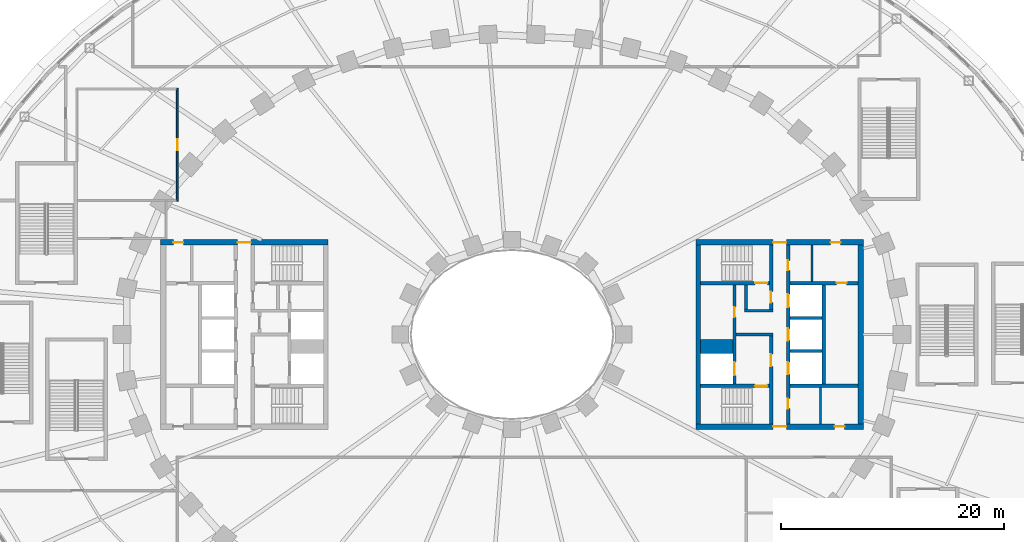
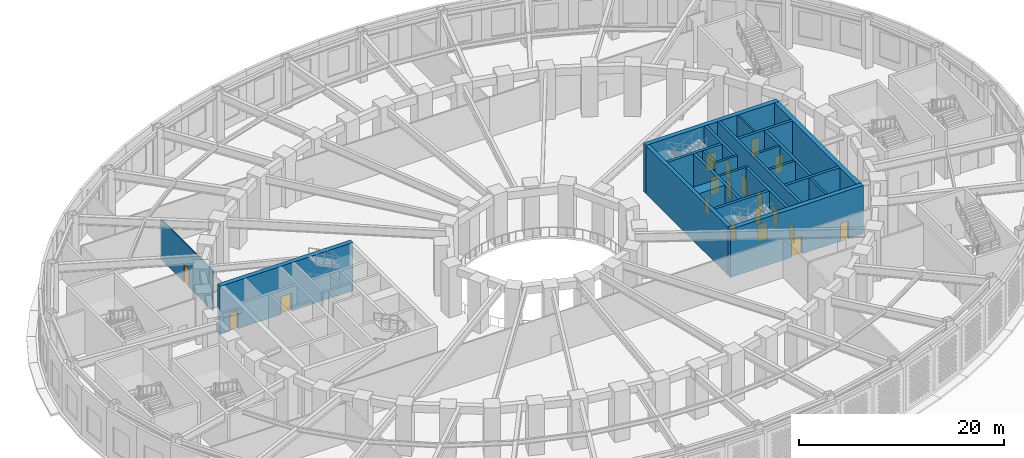
# One storey, part 24 of 74: 23 walls, 19 doors, 19 openings.
"""IFC4 building model written with IfcOpenShell, lengths in metres."""

from ifc_helpers import new_model, si_unit, direction, frame, frame_2d, origin, place, context, subcontext, project, spatial, rectangle, extrude, material, layer, layer_set, type_object, element, fill, save


model = new_model("IFC4")

# Units and contexts
model_context = context("Model", 3, precision=1e-05, world=origin(), true_north=direction((0.0, 1.0)))
body_context = subcontext(model_context, "Body", "Model", "MODEL_VIEW")
ifc_project = project(units=[si_unit("LENGTHUNIT", "METRE"), si_unit("AREAUNIT", "SQUARE_METRE"), si_unit("VOLUMEUNIT", "CUBIC_METRE"), si_unit("PLANEANGLEUNIT", "RADIAN"), si_unit("MASSUNIT", "GRAM", prefix="KILO")], contexts=[model_context])

# Site, building, storey
site_placement = place(None, origin())
site = spatial("IfcSite", under=ifc_project, at=site_placement, CompositionType="ELEMENT")
building_placement = place(site_placement, origin())
building = spatial("IfcBuilding", under=site, at=building_placement, Name="Noorbagh Ring Tower", CompositionType="ELEMENT")
storey_placement = place(building_placement, frame((0.0, 0.0, 7.5)))
storey = spatial("IfcBuildingStorey", under=building, at=storey_placement, Name="L01", CompositionType="ELEMENT", Elevation=7.5)

# Walls
ifc_material_1 = material(Name="Gypsum board on steel studs", Category="steel")
ifc_layer_1 = layer(ifc_material_1, 0.199951171875)
ifc_layer_set_1 = layer_set([ifc_layer_1], Name="Gypsum board on steel studs")
wall_type_1 = type_object("IfcWallType", Name="CORE-PARTITION-200", PredefinedType="PARTITIONING", material=ifc_layer_set_1)
for number, where, z_axis, x_axis, name in (
    (1, (26.89990234375, 4.75, 0.0), (0.0, 0.0, 1.0), (0.0, 1.0, 0.0), "Core partition E"),
    (2, (27.64990234375, -8.0, 0.0), (0.0, 0.0, 1.0), (0.0, 1.0, 0.0), "Core partition E"),
):
    element("IfcWall", number, at=place(storey_placement, frame(where, z_axis=z_axis, x_axis=x_axis)), inside=storey, type_object=wall_type_1, Name=name, PredefinedType="PARTITIONING", context=body_context, shape_type="SweptSolid", body=[
        extrude(rectangle(XDim=3.25, YDim=0.199951171875, at=frame_2d((1.625, 0.0))), origin(), (0.0, 0.0, 1.0), 5.75),
    ])
ifc_material_2 = material(Name="Concrete C70/85", Category="concrete")
ifc_layer_2 = layer(ifc_material_2, 1.25)
ifc_layer_set_2 = layer_set([ifc_layer_2], Name="Concrete C70/85")
wall_type_2 = type_object("IfcWallType", Name="CORE-WALL-1250-C70-85-EI120", PredefinedType="SHEAR", material=ifc_layer_set_2)
wall_1_placement = place(storey_placement, frame((16.89990234375, -1.074951171875, 0.0), z_axis=(0.0, 0.0, 1.0), x_axis=(1.0, 0.0, 0.0)))
element("IfcWall", 3, at=wall_1_placement, inside=storey, type_object=wall_type_2, Name="Core wall E", PredefinedType="SHEAR", context=body_context, shape_type="SweptSolid", body=[
    extrude(rectangle(XDim=2.900146484375, YDim=1.25, at=frame_2d((1.4501953125, 0.0))), origin(), (0.0, 0.0, 1.0), 5.75),
])
ifc_material_3 = material(Name="Concrete C70/85", Category="concrete")
ifc_layer_3 = layer(ifc_material_3, 0.25)
ifc_layer_set_3 = layer_set([ifc_layer_3], Name="Concrete C70/85")
wall_type_3 = type_object("IfcWallType", Name="CORE-WALL-250-C70-85-EI120", PredefinedType="SHEAR", material=ifc_layer_set_3)
for number, where, z_axis, x_axis, name in (
    (4, (24.89990234375, -1.47509765625, 0.0), (0.0, 0.0, 1.0), (1.0, 0.0, 0.0), "Core wall E"),
    (5, (24.89990234375, 1.47509765625, 0.0), (0.0, 0.0, 1.0), (1.0, 0.0, 0.0), "Core wall E"),
):
    element("IfcWall", number, at=place(storey_placement, frame(where, z_axis=z_axis, x_axis=x_axis)), inside=storey, type_object=wall_type_3, Name=name, PredefinedType="SHEAR", context=body_context, shape_type="SweptSolid", body=[
        extrude(rectangle(XDim=2.900146484375, YDim=0.25, at=frame_2d((1.4501953125, 0.0))), origin(), (0.0, 0.0, 1.0), 5.75),
    ])
ifc_material_4 = material(Name="Concrete C70/85", Category="concrete")
ifc_layer_4 = layer(ifc_material_4, 0.25)
ifc_layer_set_4 = layer_set([ifc_layer_4], Name="Concrete C70/85")
wall_type_4 = type_object("IfcWallType", Name="CORE-WALL-250-C70-85-EI240", PredefinedType="SHEAR", material=ifc_layer_set_4)
wall_2_placement = place(storey_placement, frame((20.10009765625, 0.0, 0.0), z_axis=(0.0, 0.0, 1.0), x_axis=(1.0, 0.0, 0.0)))
element("IfcWall", 6, at=wall_2_placement, inside=storey, type_object=wall_type_4, Name="Core wall E", PredefinedType="SHEAR", context=body_context, shape_type="SweptSolid", body=[
    extrude(rectangle(XDim=3.27978515625, YDim=0.25, at=frame_2d((1.639892578125, 0.0))), origin(), (0.0, 0.0, 1.0), 5.75),
])
wall_3_placement = place(storey_placement, frame((20.85009765625, 2.125, 0.0), z_axis=(0.0, 0.0, 1.0), x_axis=(1.0, 0.0, 0.0)))
element("IfcWall", 7, at=wall_3_placement, inside=storey, type_object=wall_type_4, Name="Core wall E", PredefinedType="SHEAR", context=body_context, shape_type="SweptSolid", body=[
    extrude(rectangle(XDim=2.52978515625, YDim=0.25, at=frame_2d((1.264892578125, 0.0))), origin(), (0.0, 0.0, 1.0), 5.75),
])
wall_4_placement = place(storey_placement, frame((20.97509765625, 2.25, 0.0), z_axis=(0.0, 0.0, 1.0), x_axis=(0.0, 1.0, 0.0)))
element("IfcWall", 8, at=wall_4_placement, inside=storey, type_object=wall_type_4, Name="Core wall E", PredefinedType="SHEAR", context=body_context, shape_type="SweptSolid", body=[
    extrude(rectangle(XDim=2.199951171875, YDim=0.25, at=frame_2d((1.10009765625, 0.0))), origin(), (0.0, 0.0, 1.0), 5.75),
])
ifc_material_5 = material(Name="Concrete C70/85", Category="concrete")
ifc_layer_5 = layer(ifc_material_5, 0.300048828125)
ifc_layer_set_5 = layer_set([ifc_layer_5], Name="Concrete C70/85")
wall_type_5 = type_object("IfcWallType", Name="CORE-WALL-300-C70-85-EI120", PredefinedType="SHEAR", material=ifc_layer_set_5)
wall_5_placement = place(storey_placement, frame((27.949951171875, -4.449951171875, 0.0), z_axis=(0.0, 0.0, 1.0), x_axis=(0.0, 1.0, 0.0)))
element("IfcWall", 9, at=wall_5_placement, inside=storey, type_object=wall_type_5, Name="Core wall E", PredefinedType="SHEAR", context=body_context, shape_type="SweptSolid", body=[
    extrude(rectangle(XDim=8.89990234375, YDim=0.300048828125, at=frame_2d((4.449951171875, 0.0))), origin(), (0.0, 0.0, 1.0), 5.75),
])

# Wall, openings, doors
wall_6_placement = place(storey_placement, frame((19.949951171875, -4.449951171875, 0.0), z_axis=(0.0, 0.0, 1.0), x_axis=(0.0, 1.0, 0.0)))
wall_6 = element("IfcWall", 10, at=wall_6_placement, inside=storey, type_object=wall_type_5, Name="Core wall E", PredefinedType="SHEAR", context=body_context, shape_type="SweptSolid", body=[
    extrude(rectangle(XDim=8.89990234375, YDim=0.300048828125, at=frame_2d((4.449951171875, 0.0))), origin(), (0.0, 0.0, 1.0), 5.75),
])
opening_1_placement = place(wall_6_placement, frame((0.77490234375, 0.0, 0.0)))
opening_1 = element("IfcOpeningElement", 11, at=opening_1_placement, cuts=wall_6, Name="Opening L01-CE01", PredefinedType="OPENING", context=body_context, shape_type="SweptSolid", body=[
    extrude(rectangle(XDim=1.199951171875, YDim=2.10009765625, at=frame_2d((0.60009765625, 1.050048828125))), frame((0.0, 0.16015625, 0.0), z_axis=(0.0, -1.0, 0.0), x_axis=(1.0, 0.0, 0.0)), (0.0, 0.0, 1.0), 0.320068359375),
])
opening_2_placement = place(wall_6_placement, frame((6.0, 0.0, 0.0)))
opening_2 = element("IfcOpeningElement", 12, at=opening_2_placement, cuts=wall_6, Name="Opening L01-CE11", PredefinedType="OPENING", context=body_context, shape_type="SweptSolid", body=[
    extrude(rectangle(XDim=0.89990234375, YDim=2.10009765625, at=frame_2d((0.449951171875, 1.050048828125))), frame((0.0, 0.16015625, 0.0), z_axis=(0.0, -1.0, 0.0), x_axis=(1.0, 0.0, 0.0)), (0.0, 0.0, 1.0), 0.320068359375),
])
ifc_material_6 = material(Name="Steel door leaf", Category="steel")
door_type_1 = type_object("IfcDoorType", Name="CORE-DOOR-DROOM", OperationType="SINGLE_SWING_LEFT", PredefinedType="DOOR", material=ifc_material_6)
door_1_placement = place(opening_2_placement, origin())
door_1 = element("IfcDoor", 13, at=door_1_placement, inside=storey, type_object=door_type_1, Name="Core room door L01-CE11", OperationType="SINGLE_SWING_RIGHT", OverallHeight=2.10009765625, OverallWidth=0.89990234375, PredefinedType="DOOR", context=body_context, shape_type="SweptSolid", body=[
    extrude(rectangle(XDim=0.89990234375, YDim=2.10009765625, at=frame_2d((0.449951171875, 1.050048828125))), frame((0.0, 0.02490234375, 0.0), z_axis=(0.0, -1.0, 0.0), x_axis=(1.0, 0.0, 0.0)), (0.0, 0.0, 1.0), 0.050048828125),
])
fill(opening_2, door_1)
ifc_material_7 = material(Name="Steel door leaf", Category="steel")
door_type_2 = type_object("IfcDoorType", Name="CORE-DOOR-LDW", OperationType="DOUBLE_DOOR_SLIDING", PredefinedType="DOOR", material=ifc_material_7)
door_2_placement = place(opening_1_placement, origin())
door_2 = element("IfcDoor", 14, at=door_2_placement, inside=storey, type_object=door_type_2, Name="Landing door FF2 L01-CE01", OperationType="DOUBLE_DOOR_SLIDING", OverallHeight=2.10009765625, OverallWidth=1.199951171875, PredefinedType="DOOR", context=body_context, shape_type="SweptSolid", body=[
    extrude(rectangle(XDim=1.199951171875, YDim=2.10009765625, at=frame_2d((0.60009765625, 1.050048828125))), frame((0.0, 0.02490234375, 0.0), z_axis=(0.0, -1.0, 0.0), x_axis=(1.0, 0.0, 0.0)), (0.0, 0.0, 1.0), 0.050048828125),
])
fill(opening_1, door_2)

wall_7_placement = place(storey_placement, frame((24.75, -8.0, 0.0), z_axis=(0.0, 0.0, 1.0), x_axis=(0.0, 1.0, 0.0)))
wall_7 = element("IfcWall", 15, at=wall_7_placement, inside=storey, type_object=wall_type_5, Name="Core wall E", PredefinedType="SHEAR", context=body_context, shape_type="SweptSolid", body=[
    extrude(rectangle(XDim=16.0, YDim=0.300048828125, at=frame_2d((8.0, 0.0))), origin(), (0.0, 0.0, 1.0), 5.75),
])
opening_3_placement = place(wall_7_placement, frame((4.425048828125, 0.0, 0.0)))
opening_3 = element("IfcOpeningElement", 16, at=opening_3_placement, cuts=wall_7, Name="Opening L01-CE02", PredefinedType="OPENING", context=body_context, shape_type="SweptSolid", body=[
    extrude(rectangle(XDim=1.10009765625, YDim=2.10009765625, at=frame_2d((0.550048828125, 1.050048828125))), frame((0.0, 0.16015625, 0.0), z_axis=(0.0, -1.0, 0.0), x_axis=(1.0, 0.0, 0.0)), (0.0, 0.0, 1.0), 0.320068359375),
])
opening_4_placement = place(wall_7_placement, frame((7.449951171875, 0.0, 0.0)))
opening_4 = element("IfcOpeningElement", 17, at=opening_4_placement, cuts=wall_7, Name="Opening L01-CE03", PredefinedType="OPENING", context=body_context, shape_type="SweptSolid", body=[
    extrude(rectangle(XDim=1.10009765625, YDim=2.10009765625, at=frame_2d((0.550048828125, 1.050048828125))), frame((0.0, 0.16015625, 0.0), z_axis=(0.0, -1.0, 0.0), x_axis=(1.0, 0.0, 0.0)), (0.0, 0.0, 1.0), 0.320068359375),
])
opening_5_placement = place(wall_7_placement, frame((10.425048828125, 0.0, 0.0)))
opening_5 = element("IfcOpeningElement", 18, at=opening_5_placement, cuts=wall_7, Name="Opening L01-CE04", PredefinedType="OPENING", context=body_context, shape_type="SweptSolid", body=[
    extrude(rectangle(XDim=1.199951171875, YDim=2.10009765625, at=frame_2d((0.60009765625, 1.050048828125))), frame((0.0, 0.16015625, 0.0), z_axis=(0.0, -1.0, 0.0), x_axis=(1.0, 0.0, 0.0)), (0.0, 0.0, 1.0), 0.320068359375),
])
opening_6_placement = place(wall_7_placement, frame((13.75, 0.0, 0.0)))
opening_6 = element("IfcOpeningElement", 19, at=opening_6_placement, cuts=wall_7, Name="Opening L01-CE12", PredefinedType="OPENING", context=body_context, shape_type="SweptSolid", body=[
    extrude(rectangle(XDim=0.89990234375, YDim=2.10009765625, at=frame_2d((0.449951171875, 1.050048828125))), frame((0.0, 0.16015625, 0.0), z_axis=(0.0, -1.0, 0.0), x_axis=(1.0, 0.0, 0.0)), (0.0, 0.0, 1.0), 0.320068359375),
])
opening_7_placement = place(wall_7_placement, frame((1.35009765625, 0.0, 0.0)))
opening_7 = element("IfcOpeningElement", 20, at=opening_7_placement, cuts=wall_7, Name="Opening L01-CE14", PredefinedType="OPENING", context=body_context, shape_type="SweptSolid", body=[
    extrude(rectangle(XDim=0.89990234375, YDim=2.10009765625, at=frame_2d((0.449951171875, 1.050048828125))), frame((0.0, 0.16015625, 0.0), z_axis=(0.0, -1.0, 0.0), x_axis=(1.0, 0.0, 0.0)), (0.0, 0.0, 1.0), 0.320068359375),
])
door_3_placement = place(opening_6_placement, origin())
door_3 = element("IfcDoor", 21, at=door_3_placement, inside=storey, type_object=door_type_1, Name="Core room door L01-CE12", OperationType="SINGLE_SWING_LEFT", OverallHeight=2.10009765625, OverallWidth=0.89990234375, PredefinedType="DOOR", context=body_context, shape_type="SweptSolid", body=[
    extrude(rectangle(XDim=0.89990234375, YDim=2.10009765625, at=frame_2d((0.449951171875, 1.050048828125))), frame((0.0, 0.02490234375, 0.0), z_axis=(0.0, -1.0, 0.0), x_axis=(1.0, 0.0, 0.0)), (0.0, 0.0, 1.0), 0.050048828125),
])
fill(opening_6, door_3)
door_4_placement = place(opening_7_placement, origin())
door_4 = element("IfcDoor", 22, at=door_4_placement, inside=storey, type_object=door_type_1, Name="Core room door L01-CE14", OperationType="SINGLE_SWING_RIGHT", OverallHeight=2.10009765625, OverallWidth=0.89990234375, PredefinedType="DOOR", context=body_context, shape_type="SweptSolid", body=[
    extrude(rectangle(XDim=0.89990234375, YDim=2.10009765625, at=frame_2d((0.449951171875, 1.050048828125))), frame((0.0, 0.02490234375, 0.0), z_axis=(0.0, -1.0, 0.0), x_axis=(1.0, 0.0, 0.0)), (0.0, 0.0, 1.0), 0.050048828125),
])
fill(opening_7, door_4)
ifc_material_8 = material(Name="Steel door leaf", Category="steel")
door_type_3 = type_object("IfcDoorType", Name="CORE-DOOR-LD", OperationType="DOUBLE_DOOR_SLIDING", PredefinedType="DOOR", material=ifc_material_8)
door_5_placement = place(opening_3_placement, origin())
door_5 = element("IfcDoor", 23, at=door_5_placement, inside=storey, type_object=door_type_3, Name="Landing door LR3 L01-CE02", OperationType="DOUBLE_DOOR_SLIDING", OverallHeight=2.10009765625, OverallWidth=1.10009765625, PredefinedType="DOOR", context=body_context, shape_type="SweptSolid", body=[
    extrude(rectangle(XDim=1.10009765625, YDim=2.10009765625, at=frame_2d((0.550048828125, 1.050048828125))), frame((0.0, 0.02490234375, 0.0), z_axis=(0.0, -1.0, 0.0), x_axis=(1.0, 0.0, 0.0)), (0.0, 0.0, 1.0), 0.050048828125),
])
fill(opening_3, door_5)
door_6_placement = place(opening_4_placement, origin())
door_6 = element("IfcDoor", 24, at=door_6_placement, inside=storey, type_object=door_type_3, Name="Landing door LR4 L01-CE03", OperationType="DOUBLE_DOOR_SLIDING", OverallHeight=2.10009765625, OverallWidth=1.10009765625, PredefinedType="DOOR", context=body_context, shape_type="SweptSolid", body=[
    extrude(rectangle(XDim=1.10009765625, YDim=2.10009765625, at=frame_2d((0.550048828125, 1.050048828125))), frame((0.0, 0.02490234375, 0.0), z_axis=(0.0, -1.0, 0.0), x_axis=(1.0, 0.0, 0.0)), (0.0, 0.0, 1.0), 0.050048828125),
])
fill(opening_4, door_6)
door_7_placement = place(opening_5_placement, origin())
door_7 = element("IfcDoor", 25, at=door_7_placement, inside=storey, type_object=door_type_2, Name="Landing door SV2 L01-CE04", OperationType="DOUBLE_DOOR_SLIDING", OverallHeight=2.10009765625, OverallWidth=1.199951171875, PredefinedType="DOOR", context=body_context, shape_type="SweptSolid", body=[
    extrude(rectangle(XDim=1.199951171875, YDim=2.10009765625, at=frame_2d((0.60009765625, 1.050048828125))), frame((0.0, 0.02490234375, 0.0), z_axis=(0.0, -1.0, 0.0), x_axis=(1.0, 0.0, 0.0)), (0.0, 0.0, 1.0), 0.050048828125),
])
fill(opening_5, door_7)

# Wall, opening, door
ifc_material_9 = material(Name="Concrete C70/85", Category="concrete")
ifc_layer_6 = layer(ifc_material_9, 0.300048828125)
ifc_layer_set_6 = layer_set([ifc_layer_6], Name="Concrete C70/85")
wall_type_6 = type_object("IfcWallType", Name="CORE-WALL-300-C70-85-EI240", PredefinedType="SHEAR", material=ifc_layer_set_6)
wall_8_placement = place(storey_placement, frame((24.89990234375, 4.60009765625, 0.0), z_axis=(0.0, 0.0, 1.0), x_axis=(1.0, 0.0, 0.0)))
wall_8 = element("IfcWall", 26, at=wall_8_placement, inside=storey, type_object=wall_type_6, Name="Core wall E", PredefinedType="SHEAR", context=body_context, shape_type="SweptSolid", body=[
    extrude(rectangle(XDim=6.10009765625, YDim=0.300048828125, at=frame_2d((3.050048828125, 0.0))), origin(), (0.0, 0.0, 1.0), 5.75),
])
opening_8_placement = place(wall_8_placement, frame((4.199951171875, 0.0, 0.0)))
opening_8 = element("IfcOpeningElement", 27, at=opening_8_placement, cuts=wall_8, Name="Opening L01-CE16", PredefinedType="OPENING", context=body_context, shape_type="SweptSolid", body=[
    extrude(rectangle(XDim=0.89990234375, YDim=2.10009765625, at=frame_2d((0.449951171875, 1.050048828125))), frame((0.0, 0.16015625, 0.0), z_axis=(0.0, -1.0, 0.0), x_axis=(1.0, 0.0, 0.0)), (0.0, 0.0, 1.0), 0.320068359375),
])
door_8_placement = place(opening_8_placement, origin())
door_8 = element("IfcDoor", 28, at=door_8_placement, inside=storey, type_object=door_type_1, Name="Core room door L01-CE16", OperationType="SINGLE_SWING_RIGHT", OverallHeight=2.10009765625, OverallWidth=0.89990234375, PredefinedType="DOOR", context=body_context, shape_type="SweptSolid", body=[
    extrude(rectangle(XDim=0.89990234375, YDim=2.10009765625, at=frame_2d((0.449951171875, 1.050048828125))), frame((0.0, 0.02490234375, 0.0), z_axis=(0.0, -1.0, 0.0), x_axis=(1.0, 0.0, 0.0)), (0.0, 0.0, 1.0), 0.050048828125),
])
fill(opening_8, door_8)

# Wall
wall_9_placement = place(storey_placement, frame((24.89990234375, -4.60009765625, 0.0), z_axis=(0.0, 0.0, 1.0), x_axis=(1.0, 0.0, 0.0)))
element("IfcWall", 29, at=wall_9_placement, inside=storey, type_object=wall_type_6, Name="Core wall E", PredefinedType="SHEAR", context=body_context, shape_type="SweptSolid", body=[
    extrude(rectangle(XDim=6.10009765625, YDim=0.300048828125, at=frame_2d((3.050048828125, 0.0))), origin(), (0.0, 0.0, 1.0), 5.75),
])

# Wall, opening, door
wall_10_placement = place(storey_placement, frame((23.22998046875, 2.25, 0.0), z_axis=(0.0, 0.0, 1.0), x_axis=(0.0, 1.0, 0.0)))
wall_10 = element("IfcWall", 30, at=wall_10_placement, inside=storey, type_object=wall_type_6, Name="Core wall E", PredefinedType="SHEAR", context=body_context, shape_type="SweptSolid", body=[
    extrude(rectangle(XDim=5.75, YDim=0.300048828125, at=frame_2d((2.875, 0.0))), origin(), (0.0, 0.0, 1.0), 5.75),
])
opening_9_placement = place(wall_10_placement, frame((0.60009765625, 0.0, 0.0)))
opening_9 = element("IfcOpeningElement", 31, at=opening_9_placement, cuts=wall_10, Name="Opening L01-CE08", PredefinedType="OPENING", context=body_context, shape_type="SweptSolid", body=[
    extrude(rectangle(XDim=1.0, YDim=2.10009765625, at=frame_2d((0.5, 1.050048828125))), frame((0.0, 0.16015625, 0.0), z_axis=(0.0, -1.0, 0.0), x_axis=(1.0, 0.0, 0.0)), (0.0, 0.0, 1.0), 0.320068359375),
])
ifc_material_10 = material(Name="Steel door leaf", Category="steel")
door_type_4 = type_object("IfcDoorType", Name="CORE-DOOR-DVEST", OperationType="SINGLE_SWING_LEFT", PredefinedType="DOOR", material=ifc_material_10)
door_9_placement = place(opening_9_placement, origin())
door_9 = element("IfcDoor", 32, at=door_9_placement, inside=storey, type_object=door_type_4, Name="Stair vestibule door L01-CE08", OperationType="SINGLE_SWING_RIGHT", OverallHeight=2.10009765625, OverallWidth=1.0, PredefinedType="DOOR", context=body_context, shape_type="SweptSolid", body=[
    extrude(rectangle(XDim=1.0, YDim=2.10009765625, at=frame_2d((0.5, 1.050048828125))), frame((0.0, 0.02490234375, 0.0), z_axis=(0.0, -1.0, 0.0), x_axis=(1.0, 0.0, 0.0)), (0.0, 0.0, 1.0), 0.050048828125),
])
fill(opening_9, door_9)

wall_11_placement = place(storey_placement, frame((23.22998046875, -8.0, 0.0), z_axis=(0.0, 0.0, 1.0), x_axis=(0.0, 1.0, 0.0)))
wall_11 = element("IfcWall", 33, at=wall_11_placement, inside=storey, type_object=wall_type_6, Name="Core wall E", PredefinedType="SHEAR", context=body_context, shape_type="SweptSolid", body=[
    extrude(rectangle(XDim=7.875, YDim=0.300048828125, at=frame_2d((3.9375, 0.0))), origin(), (0.0, 0.0, 1.0), 5.75),
])
opening_10_placement = place(wall_11_placement, frame((5.14990234375, 0.0, 0.0)))
opening_10 = element("IfcOpeningElement", 34, at=opening_10_placement, cuts=wall_11, Name="Opening L01-CE07", PredefinedType="OPENING", context=body_context, shape_type="SweptSolid", body=[
    extrude(rectangle(XDim=1.10009765625, YDim=2.10009765625, at=frame_2d((0.550048828125, 1.050048828125))), frame((0.0, 0.16015625, 0.0), z_axis=(0.0, -1.0, 0.0), x_axis=(1.0, 0.0, 0.0)), (0.0, 0.0, 1.0), 0.320068359375),
])
ifc_material_11 = material(Name="Steel door leaf", Category="steel")
door_type_5 = type_object("IfcDoorType", Name="CORE-DOOR-DFF", OperationType="SINGLE_SWING_LEFT", PredefinedType="DOOR", material=ifc_material_11)
door_10_placement = place(opening_10_placement, origin())
door_10 = element("IfcDoor", 35, at=door_10_placement, inside=storey, type_object=door_type_5, Name="Firefighting lobby door L01-CE07", OperationType="SINGLE_SWING_RIGHT", OverallHeight=2.10009765625, OverallWidth=1.10009765625, PredefinedType="DOOR", context=body_context, shape_type="SweptSolid", body=[
    extrude(rectangle(XDim=1.10009765625, YDim=2.10009765625, at=frame_2d((0.550048828125, 1.050048828125))), frame((0.0, 0.02490234375, 0.0), z_axis=(0.0, -1.0, 0.0), x_axis=(1.0, 0.0, 0.0)), (0.0, 0.0, 1.0), 0.050048828125),
])
fill(opening_10, door_10)

wall_12_placement = place(storey_placement, frame((16.89990234375, 4.60009765625, 0.0), z_axis=(0.0, 0.0, 1.0), x_axis=(1.0, 0.0, 0.0)))
wall_12 = element("IfcWall", 36, at=wall_12_placement, inside=storey, type_object=wall_type_6, Name="Core wall E", PredefinedType="SHEAR", context=body_context, shape_type="SweptSolid", body=[
    extrude(rectangle(XDim=6.18017578125, YDim=0.300048828125, at=frame_2d((3.090087890625, 0.0))), origin(), (0.0, 0.0, 1.0), 5.75),
])
opening_11_placement = place(wall_12_placement, frame((4.89990234375, 0.0, 0.0)))
opening_11 = element("IfcOpeningElement", 37, at=opening_11_placement, cuts=wall_12, Name="Opening L01-CE05", PredefinedType="OPENING", context=body_context, shape_type="SweptSolid", body=[
    extrude(rectangle(XDim=1.10009765625, YDim=2.10009765625, at=frame_2d((0.550048828125, 1.050048828125))), frame((0.0, 0.16015625, 0.0), z_axis=(0.0, -1.0, 0.0), x_axis=(1.0, 0.0, 0.0)), (0.0, 0.0, 1.0), 0.320068359375),
])
ifc_material_12 = material(Name="Steel door leaf", Category="steel")
door_type_6 = type_object("IfcDoorType", Name="CORE-DOOR-DSTAIR", OperationType="SINGLE_SWING_LEFT", PredefinedType="DOOR", material=ifc_material_12)
door_11_placement = place(opening_11_placement, origin())
door_11 = element("IfcDoor", 38, at=door_11_placement, inside=storey, type_object=door_type_6, Name="Stair door ST3 L01-CE05", OperationType="SINGLE_SWING_LEFT", OverallHeight=2.10009765625, OverallWidth=1.10009765625, PredefinedType="DOOR", context=body_context, shape_type="SweptSolid", body=[
    extrude(rectangle(XDim=1.10009765625, YDim=2.10009765625, at=frame_2d((0.550048828125, 1.050048828125))), frame((0.0, 0.02490234375, 0.0), z_axis=(0.0, -1.0, 0.0), x_axis=(1.0, 0.0, 0.0)), (0.0, 0.0, 1.0), 0.050048828125),
])
fill(opening_11, door_11)

wall_13_placement = place(storey_placement, frame((16.89990234375, -4.60009765625, 0.0), z_axis=(0.0, 0.0, 1.0), x_axis=(1.0, 0.0, 0.0)))
wall_13 = element("IfcWall", 39, at=wall_13_placement, inside=storey, type_object=wall_type_6, Name="Core wall E", PredefinedType="SHEAR", context=body_context, shape_type="SweptSolid", body=[
    extrude(rectangle(XDim=6.18017578125, YDim=0.300048828125, at=frame_2d((3.090087890625, 0.0))), origin(), (0.0, 0.0, 1.0), 5.75),
])
opening_12_placement = place(wall_13_placement, frame((4.89990234375, 0.0, 0.0)))
opening_12 = element("IfcOpeningElement", 40, at=opening_12_placement, cuts=wall_13, Name="Opening L01-CE06", PredefinedType="OPENING", context=body_context, shape_type="SweptSolid", body=[
    extrude(rectangle(XDim=1.10009765625, YDim=2.10009765625, at=frame_2d((0.550048828125, 1.050048828125))), frame((0.0, 0.16015625, 0.0), z_axis=(0.0, -1.0, 0.0), x_axis=(1.0, 0.0, 0.0)), (0.0, 0.0, 1.0), 0.320068359375),
])
door_12_placement = place(opening_12_placement, origin())
door_12 = element("IfcDoor", 41, at=door_12_placement, inside=storey, type_object=door_type_6, Name="Stair door ST4 L01-CE06", OperationType="SINGLE_SWING_RIGHT", OverallHeight=2.10009765625, OverallWidth=1.10009765625, PredefinedType="DOOR", context=body_context, shape_type="SweptSolid", body=[
    extrude(rectangle(XDim=1.10009765625, YDim=2.10009765625, at=frame_2d((0.550048828125, 1.050048828125))), frame((0.0, 0.02490234375, 0.0), z_axis=(0.0, -1.0, 0.0), x_axis=(1.0, 0.0, 0.0)), (0.0, 0.0, 1.0), 0.050048828125),
])
fill(opening_12, door_12)

# Wall
ifc_material_13 = material(Name="Concrete C70/85", Category="concrete")
ifc_layer_7 = layer(ifc_material_13, 0.39990234375)
ifc_layer_set_7 = layer_set([ifc_layer_7], Name="Concrete C70/85")
wall_type_7 = type_object("IfcWallType", Name="CORE-WALL-400-C70-85-EI240", PredefinedType="SHEAR", material=ifc_layer_set_7)
wall_14_placement = place(storey_placement, frame((16.699951171875, -8.0, 0.0), z_axis=(0.0, 0.0, 1.0), x_axis=(0.0, 1.0, 0.0)))
element("IfcWall", 42, at=wall_14_placement, inside=storey, type_object=wall_type_7, Name="Core wall E", PredefinedType="SHEAR", context=body_context, shape_type="SweptSolid", body=[
    extrude(rectangle(XDim=16.0, YDim=0.39990234375, at=frame_2d((8.0, 0.0))), origin(), (0.0, 0.0, 1.0), 5.75),
])

# Wall, openings, doors
ifc_material_14 = material(Name="Concrete C70/85", Category="concrete")
ifc_layer_8 = layer(ifc_material_14, 0.5)
ifc_layer_set_8 = layer_set([ifc_layer_8], Name="Concrete C70/85")
wall_type_8 = type_object("IfcWallType", Name="CORE-WALL-500-C70-85-EI240", PredefinedType="SHEAR", material=ifc_layer_set_8)
wall_15_placement = place(storey_placement, frame((-16.5, 8.25, 0.0), z_axis=(0.0, 0.0, 1.0), x_axis=(-1.0, 0.0, 0.0)))
wall_15 = element("IfcWall", 43, at=wall_15_placement, inside=storey, type_object=wall_type_8, Name="Core wall W", PredefinedType="SHEAR", context=body_context, shape_type="SweptSolid", body=[
    extrude(rectangle(XDim=15.0, YDim=0.5, at=frame_2d((7.5, 0.0))), origin(), (0.0, 0.0, 1.0), 5.75),
])
opening_13_placement = place(wall_15_placement, frame((6.89990234375, 0.0, 0.0)))
opening_13 = element("IfcOpeningElement", 44, at=opening_13_placement, cuts=wall_15, Name="Opening L01-CW11", PredefinedType="OPENING", context=body_context, shape_type="SweptSolid", body=[
    extrude(rectangle(XDim=1.199951171875, YDim=2.10009765625, at=frame_2d((0.60009765625, 1.050048828125))), frame((0.0, 0.260009765625, 0.0), z_axis=(0.0, -1.0, 0.0), x_axis=(1.0, 0.0, 0.0)), (0.0, 0.0, 1.0), 0.52001953125),
])
opening_14_placement = place(wall_15_placement, frame((12.949951171875, 0.0, 0.0)))
opening_14 = element("IfcOpeningElement", 45, at=opening_14_placement, cuts=wall_15, Name="Opening L01-CW15", PredefinedType="OPENING", context=body_context, shape_type="SweptSolid", body=[
    extrude(rectangle(XDim=0.89990234375, YDim=2.10009765625, at=frame_2d((0.449951171875, 1.050048828125))), frame((0.0, 0.260009765625, 0.0), z_axis=(0.0, -1.0, 0.0), x_axis=(1.0, 0.0, 0.0)), (0.0, 0.0, 1.0), 0.52001953125),
])
door_13_placement = place(opening_14_placement, origin())
door_13 = element("IfcDoor", 46, at=door_13_placement, inside=storey, type_object=door_type_1, Name="Core room door L01-CW15", OperationType="SINGLE_SWING_RIGHT", OverallHeight=2.10009765625, OverallWidth=0.89990234375, PredefinedType="DOOR", context=body_context, shape_type="SweptSolid", body=[
    extrude(rectangle(XDim=0.89990234375, YDim=2.10009765625, at=frame_2d((0.449951171875, 1.050048828125))), frame((0.0, 0.02490234375, 0.0), z_axis=(0.0, -1.0, 0.0), x_axis=(1.0, 0.0, 0.0)), (0.0, 0.0, 1.0), 0.050048828125),
])
fill(opening_14, door_13)
ifc_material_15 = material(Name="Steel door leaf", Category="steel")
door_type_7 = type_object("IfcDoorType", Name="CORE-DOOR-PORT", OperationType="DOUBLE_DOOR_DOUBLE_SWING", PredefinedType="DOOR", material=ifc_material_15)
door_14_placement = place(opening_13_placement, origin())
door_14 = element("IfcDoor", 47, at=door_14_placement, inside=storey, type_object=door_type_7, Name="Core entrance door L01-CW11", OperationType="DOUBLE_DOOR_DOUBLE_SWING", OverallHeight=2.10009765625, OverallWidth=1.199951171875, PredefinedType="DOOR", context=body_context, shape_type="SweptSolid", body=[
    extrude(rectangle(XDim=1.199951171875, YDim=2.10009765625, at=frame_2d((0.60009765625, 1.050048828125))), frame((0.0, 0.02490234375, 0.0), z_axis=(0.0, -1.0, 0.0), x_axis=(1.0, 0.0, 0.0)), (0.0, 0.0, 1.0), 0.050048828125),
])
fill(opening_13, door_14)

wall_16_placement = place(storey_placement, frame((16.5, 8.25, 0.0), z_axis=(0.0, 0.0, 1.0), x_axis=(1.0, 0.0, 0.0)))
wall_16 = element("IfcWall", 48, at=wall_16_placement, inside=storey, type_object=wall_type_8, Name="Core wall E", PredefinedType="SHEAR", context=body_context, shape_type="SweptSolid", body=[
    extrude(rectangle(XDim=15.0, YDim=0.5, at=frame_2d((7.5, 0.0))), origin(), (0.0, 0.0, 1.0), 5.75),
])
opening_15_placement = place(wall_16_placement, frame((6.89990234375, 0.0, 0.0)))
opening_15 = element("IfcOpeningElement", 49, at=opening_15_placement, cuts=wall_16, Name="Opening L01-CE09", PredefinedType="OPENING", context=body_context, shape_type="SweptSolid", body=[
    extrude(rectangle(XDim=1.199951171875, YDim=2.10009765625, at=frame_2d((0.60009765625, 1.050048828125))), frame((0.0, 0.260009765625, 0.0), z_axis=(0.0, -1.0, 0.0), x_axis=(1.0, 0.0, 0.0)), (0.0, 0.0, 1.0), 0.52001953125),
])
opening_16_placement = place(wall_16_placement, frame((12.050048828125, 0.0, 0.0)))
opening_16 = element("IfcOpeningElement", 50, at=opening_16_placement, cuts=wall_16, Name="Opening L01-CE13", PredefinedType="OPENING", context=body_context, shape_type="SweptSolid", body=[
    extrude(rectangle(XDim=0.89990234375, YDim=2.10009765625, at=frame_2d((0.449951171875, 1.050048828125))), frame((0.0, 0.260009765625, 0.0), z_axis=(0.0, -1.0, 0.0), x_axis=(1.0, 0.0, 0.0)), (0.0, 0.0, 1.0), 0.52001953125),
])
door_15_placement = place(opening_16_placement, origin())
door_15 = element("IfcDoor", 51, at=door_15_placement, inside=storey, type_object=door_type_1, Name="Core room door L01-CE13", OperationType="SINGLE_SWING_LEFT", OverallHeight=2.10009765625, OverallWidth=0.89990234375, PredefinedType="DOOR", context=body_context, shape_type="SweptSolid", body=[
    extrude(rectangle(XDim=0.89990234375, YDim=2.10009765625, at=frame_2d((0.449951171875, 1.050048828125))), frame((0.0, 0.02490234375, 0.0), z_axis=(0.0, -1.0, 0.0), x_axis=(1.0, 0.0, 0.0)), (0.0, 0.0, 1.0), 0.050048828125),
])
fill(opening_16, door_15)
door_16_placement = place(opening_15_placement, origin())
door_16 = element("IfcDoor", 52, at=door_16_placement, inside=storey, type_object=door_type_7, Name="Core entrance door L01-CE09", OperationType="DOUBLE_DOOR_DOUBLE_SWING", OverallHeight=2.10009765625, OverallWidth=1.199951171875, PredefinedType="DOOR", context=body_context, shape_type="SweptSolid", body=[
    extrude(rectangle(XDim=1.199951171875, YDim=2.10009765625, at=frame_2d((0.60009765625, 1.050048828125))), frame((0.0, 0.02490234375, 0.0), z_axis=(0.0, -1.0, 0.0), x_axis=(1.0, 0.0, 0.0)), (0.0, 0.0, 1.0), 0.050048828125),
])
fill(opening_15, door_16)

wall_17_placement = place(storey_placement, frame((16.5, -8.25, 0.0), z_axis=(0.0, 0.0, 1.0), x_axis=(1.0, 0.0, 0.0)))
wall_17 = element("IfcWall", 53, at=wall_17_placement, inside=storey, type_object=wall_type_8, Name="Core wall E", PredefinedType="SHEAR", context=body_context, shape_type="SweptSolid", body=[
    extrude(rectangle(XDim=15.0, YDim=0.5, at=frame_2d((7.5, 0.0))), origin(), (0.0, 0.0, 1.0), 5.75),
])
opening_17_placement = place(wall_17_placement, frame((6.89990234375, 0.0, 0.0)))
opening_17 = element("IfcOpeningElement", 54, at=opening_17_placement, cuts=wall_17, Name="Opening L01-CE10", PredefinedType="OPENING", context=body_context, shape_type="SweptSolid", body=[
    extrude(rectangle(XDim=1.199951171875, YDim=2.10009765625, at=frame_2d((0.60009765625, 1.050048828125))), frame((0.0, 0.260009765625, 0.0), z_axis=(0.0, -1.0, 0.0), x_axis=(1.0, 0.0, 0.0)), (0.0, 0.0, 1.0), 0.52001953125),
])
opening_18_placement = place(wall_17_placement, frame((12.425048828125, 0.0, 0.0)))
opening_18 = element("IfcOpeningElement", 55, at=opening_18_placement, cuts=wall_17, Name="Opening L01-CE15", PredefinedType="OPENING", context=body_context, shape_type="SweptSolid", body=[
    extrude(rectangle(XDim=0.89990234375, YDim=2.10009765625, at=frame_2d((0.449951171875, 1.050048828125))), frame((0.0, 0.260009765625, 0.0), z_axis=(0.0, -1.0, 0.0), x_axis=(1.0, 0.0, 0.0)), (0.0, 0.0, 1.0), 0.52001953125),
])
door_17_placement = place(opening_18_placement, origin())
door_17 = element("IfcDoor", 56, at=door_17_placement, inside=storey, type_object=door_type_1, Name="Core room door L01-CE15", OperationType="SINGLE_SWING_RIGHT", OverallHeight=2.10009765625, OverallWidth=0.89990234375, PredefinedType="DOOR", context=body_context, shape_type="SweptSolid", body=[
    extrude(rectangle(XDim=0.89990234375, YDim=2.10009765625, at=frame_2d((0.449951171875, 1.050048828125))), frame((0.0, 0.02490234375, 0.0), z_axis=(0.0, -1.0, 0.0), x_axis=(1.0, 0.0, 0.0)), (0.0, 0.0, 1.0), 0.050048828125),
])
fill(opening_18, door_17)
door_18_placement = place(opening_17_placement, origin())
door_18 = element("IfcDoor", 57, at=door_18_placement, inside=storey, type_object=door_type_7, Name="Core entrance door L01-CE10", OperationType="DOUBLE_DOOR_DOUBLE_SWING", OverallHeight=2.10009765625, OverallWidth=1.199951171875, PredefinedType="DOOR", context=body_context, shape_type="SweptSolid", body=[
    extrude(rectangle(XDim=1.199951171875, YDim=2.10009765625, at=frame_2d((0.60009765625, 1.050048828125))), frame((0.0, 0.02490234375, 0.0), z_axis=(0.0, -1.0, 0.0), x_axis=(1.0, 0.0, 0.0)), (0.0, 0.0, 1.0), 0.050048828125),
])
fill(opening_17, door_18)

# Wall
wall_18_placement = place(storey_placement, frame((31.25, -8.0, 0.0), z_axis=(0.0, 0.0, 1.0), x_axis=(0.0, 1.0, 0.0)))
element("IfcWall", 58, at=wall_18_placement, inside=storey, type_object=wall_type_8, Name="Core wall E", PredefinedType="SHEAR", context=body_context, shape_type="SweptSolid", body=[
    extrude(rectangle(XDim=16.0, YDim=0.5, at=frame_2d((8.0, 0.0))), origin(), (0.0, 0.0, 1.0), 5.75),
])

# Wall, opening, door
ifc_material_16 = material(Name="Gypsum board on steel studs", Category="steel")
ifc_layer_9 = layer(ifc_material_16, 0.14990234375)
ifc_layer_set_9 = layer_set([ifc_layer_9], Name="Gypsum board on steel studs")
wall_type_9 = type_object("IfcWallType", Name="GND-PART-150", PredefinedType="PARTITIONING", material=ifc_layer_set_9)
wall_19_placement = place(storey_placement, frame((-30.0, 22.074951171875, 0.0), z_axis=(0.0, 0.0, 1.0), x_axis=(0.0, -1.0, 0.0)))
wall_19 = element("IfcWall", 59, at=wall_19_placement, inside=storey, type_object=wall_type_9, Name="L01/wall/P022", PredefinedType="PARTITIONING", context=body_context, shape_type="SweptSolid", body=[
    extrude(rectangle(XDim=10.14990234375, YDim=0.14990234375, at=frame_2d((5.074951171875, 0.0))), origin(), (0.0, 0.0, 1.0), 4.75),
])
opening_19_placement = place(wall_19_placement, frame((4.574951171875, 0.0, 0.0)))
opening_19 = element("IfcOpeningElement", 60, at=opening_19_placement, cuts=wall_19, Name="Opening GD6", PredefinedType="OPENING", context=body_context, shape_type="SweptSolid", body=[
    extrude(rectangle(XDim=1.0, YDim=2.10009765625, at=frame_2d((0.5, 1.050048828125))), frame((0.0, 0.0849609375, 0.0), z_axis=(0.0, -1.0, 0.0), x_axis=(1.0, 0.0, 0.0)), (0.0, 0.0, 1.0), 0.169921875),
])
ifc_material_17 = material(Name="Timber", Category="wood")
door_type_8 = type_object("IfcDoorType", Name="GND-DOOR-HALL", OperationType="SINGLE_SWING_LEFT", PredefinedType="DOOR", material=ifc_material_17)
door_19_placement = place(opening_19_placement, origin())
door_19 = element("IfcDoor", 61, at=door_19_placement, inside=storey, type_object=door_type_8, Name="Public WCs door", OperationType="SINGLE_SWING_RIGHT", OverallHeight=2.10009765625, OverallWidth=1.0, PredefinedType="DOOR", context=body_context, shape_type="SweptSolid", body=[
    extrude(rectangle(XDim=1.0, YDim=2.10009765625, at=frame_2d((0.5, 1.050048828125))), frame((0.0, 0.02490234375, 0.0), z_axis=(0.0, -1.0, 0.0), x_axis=(1.0, 0.0, 0.0)), (0.0, 0.0, 1.0), 0.050048828125),
])
fill(opening_19, door_19)

save(model, "model.ifc")
